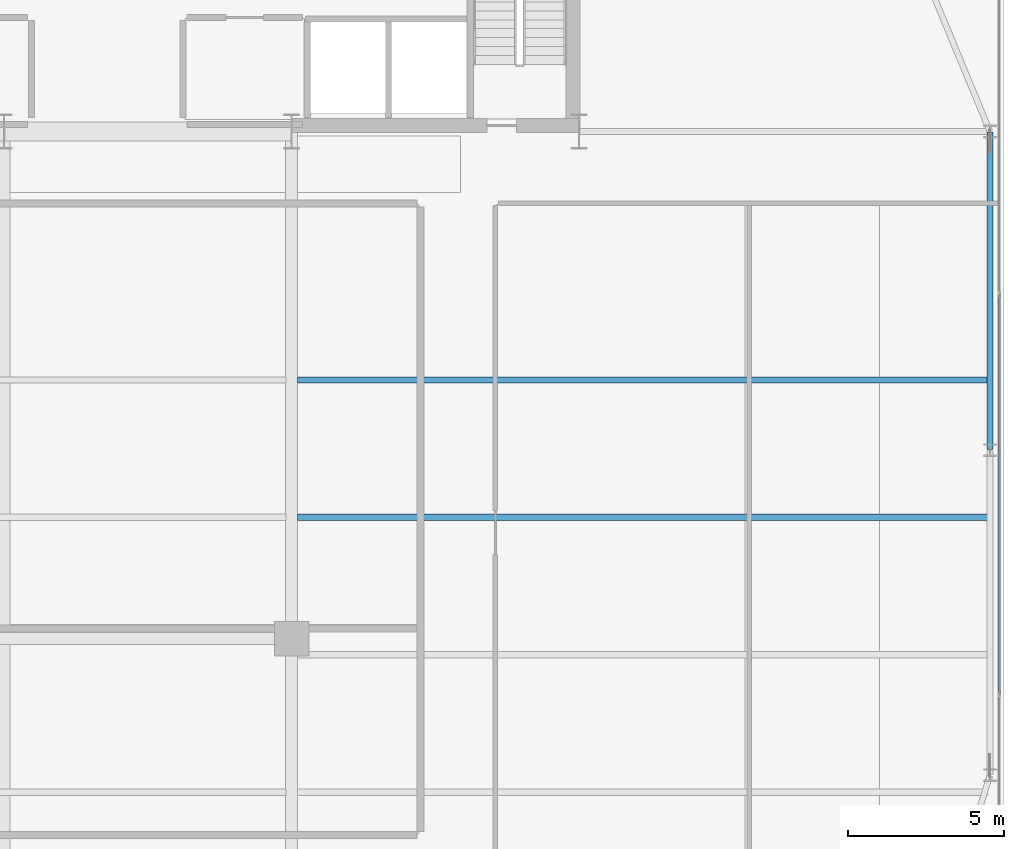
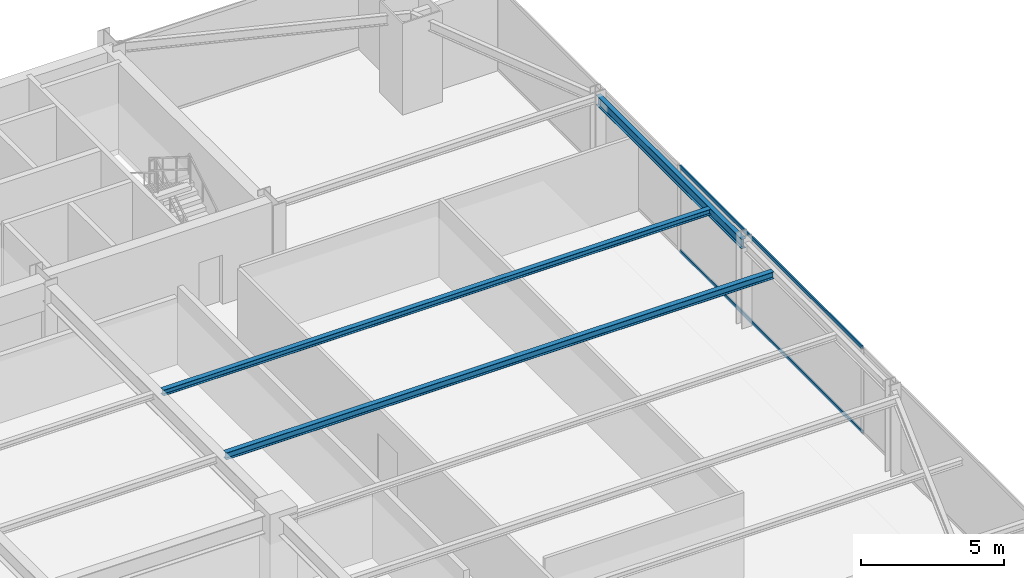
# One storey, part 17 of 31: 3 beams, 2 members, 1 element without a shape of its own.
"""IFC4 building model written with IfcOpenShell, lengths in metres."""

from ifc_helpers import new_model, si_unit, direction, frame, origin, origin_2d, place, context, subcontext, project, spatial, hollow_rectangle, i_section, extrude, source, transform, mapped, material, layer, layer_set, material_profile, profile_set, type_object, type_shapes, element, aggregate, save


model = new_model("IFC4")

# Units and contexts
model_context = context("Model", 3, precision=1e-05, world=origin(), true_north=direction((0.0, 1.0)))
body_context = subcontext(model_context, "Body", "Model", "MODEL_VIEW")
ifc_project = project(units=[si_unit("LENGTHUNIT", "METRE"), si_unit("AREAUNIT", "SQUARE_METRE"), si_unit("VOLUMEUNIT", "CUBIC_METRE"), si_unit("PLANEANGLEUNIT", "RADIAN"), si_unit("MASSUNIT", "GRAM", prefix="KILO")], contexts=[model_context])

# Site, building, storey
site_placement = place(None, origin())
site = spatial("IfcSite", under=ifc_project, at=site_placement, CompositionType="ELEMENT")
building_placement = place(site_placement, origin())
building = spatial("IfcBuilding", under=site, at=building_placement, Name="Varnel Quay Broadcast Tower", CompositionType="ELEMENT")
storey_placement = place(building_placement, frame((0.0, 0.0, 39.300048828125)))
storey = spatial("IfcBuildingStorey", under=building, at=storey_placement, Name="L08", CompositionType="ELEMENT", Elevation=39.300048828125)

# Beams
ifc_material_1 = material(Name="Structural Steel CSA G40.21 350W", Category="steel")
ifc_material_profile_1 = material_profile(ifc_material_1, i_section(OverallWidth=0.180908203125, OverallDepth=0.4169921875, WebThickness=0.010986328125, FlangeThickness=0.018310546875, FilletRadius=0.011962890625, at=origin_2d()), Name="W410X85")
ifc_profile_set_1 = profile_set([ifc_material_profile_1], Name="Structural Steel CSA G40.21 350W")
beam_type_1 = type_object("IfcBeamType", Name="Beam_W410X85", PredefinedType="SPANDREL", material=ifc_profile_set_1)
shared_shape_1 = source(origin(), body_context, "Body", "SweptSolid", [
    extrude(i_section(OverallWidth=0.180908203125, OverallDepth=0.4169921875, WebThickness=0.010986328125, FlangeThickness=0.018310546875, FilletRadius=0.011962890625, at=origin_2d()), origin(), (0.0, 0.0, 1.0), 10.16015625),
])
type_shapes(beam_type_1, [shared_shape_1])
beam_1_placement = place(storey_placement, frame((65.550048828125, 25.419921875, 3.44140625), z_axis=(0.0, 1.0, 0.0), x_axis=(-1.0, 0.0, 0.0)))
element("IfcBeam", 1, at=beam_1_placement, inside=storey, type_object=beam_type_1, Name="L08 East Spandrel TC-E2-TC-E3", PredefinedType="SPANDREL", context=body_context, shape_type="MappedRepresentation", body=[
    mapped(shared_shape_1, transform((0.0, 0.0, 0.0), x_axis=(1.0, 0.0, 0.0), y_axis=(0.0, 1.0, 0.0), z_axis=(0.0, 0.0, 1.0), scale=1.0)),
])
ifc_material_profile_2 = material_profile(ifc_material_1, i_section(OverallWidth=0.202880859375, OverallDepth=0.302978515625, WebThickness=0.007568359375, FlangeThickness=0.01318359375, FilletRadius=0.011962890625, at=origin_2d()), Name="W310X60")
ifc_profile_set_2 = profile_set([ifc_material_profile_2], Name="Structural Steel CSA G40.21 350W")
beam_type_2 = type_object("IfcBeamType", Name="Beam_W310X60", PredefinedType="JOIST", material=ifc_profile_set_2)
shared_shape_2 = source(origin(), body_context, "Body", "SweptSolid", [
    extrude(i_section(OverallWidth=0.202880859375, OverallDepth=0.302978515625, WebThickness=0.007568359375, FlangeThickness=0.01318359375, FilletRadius=0.011962890625, at=origin_2d()), origin(), (0.0, 0.0, 1.0), 22.0791015625),
])
type_shapes(beam_type_2, [shared_shape_2])
beam_2_placement = place(storey_placement, frame((43.385498046875, 23.25, 3.49853515625), z_axis=(1.0, 0.0, 0.0), x_axis=(0.0, 1.0, 0.0)))
element("IfcBeam", 2, at=beam_2_placement, inside=storey, type_object=beam_type_2, Name="L08 East Floor Joist 5", PredefinedType="JOIST", context=body_context, shape_type="MappedRepresentation", body=[
    mapped(shared_shape_2, transform((0.0, 0.0, 0.0), x_axis=(1.0, 0.0, 0.0), y_axis=(0.0, 1.0, 0.0), z_axis=(0.0, 0.0, 1.0), scale=1.0)),
])
ifc_material_profile_3 = material_profile(ifc_material_1, i_section(OverallWidth=0.201904296875, OverallDepth=0.2470703125, WebThickness=0.00732421875, FlangeThickness=0.010986328125, FilletRadius=0.010986328125, at=origin_2d()), Name="W250X49")
ifc_profile_set_3 = profile_set([ifc_material_profile_3], Name="Structural Steel CSA G40.21 350W")
beam_type_3 = type_object("IfcBeamType", Name="Beam_W250X49", PredefinedType="JOIST", material=ifc_profile_set_3)
shared_shape_3 = source(origin(), body_context, "Body", "SweptSolid", [
    extrude(i_section(OverallWidth=0.201904296875, OverallDepth=0.2470703125, WebThickness=0.00732421875, FlangeThickness=0.010986328125, FilletRadius=0.010986328125, at=origin_2d()), origin(), (0.0, 0.0, 1.0), 22.0791015625),
])
type_shapes(beam_type_3, [shared_shape_3])
beam_3_placement = place(storey_placement, frame((43.385498046875, 27.64990234375, 3.5263671875), z_axis=(1.0, 0.0, 0.0), x_axis=(0.0, 1.0, 0.0)))
element("IfcBeam", 3, at=beam_3_placement, inside=storey, type_object=beam_type_3, Name="L08 East Floor Joist 6", PredefinedType="JOIST", context=body_context, shape_type="MappedRepresentation", body=[
    mapped(shared_shape_3, transform((0.0, 0.0, 0.0), x_axis=(1.0, 0.0, 0.0), y_axis=(0.0, 1.0, 0.0), z_axis=(0.0, 0.0, 1.0), scale=1.0)),
])

# Curtain wall, members
ifc_material_2 = material(Name="Anodised Bronze Aluminium 6063-T6", Category="aluminium")
ifc_layer = layer(ifc_material_2, 0.18994140625, Name="Anodised Bronze Aluminium 6063-T6")
ifc_layer_set = layer_set([ifc_layer], Name="Anodised Bronze Aluminium 6063-T6")
curtain_wall_type = type_object("IfcCurtainWallType", Name="CW_LowerTower", PredefinedType="NOTDEFINED", material=ifc_layer_set)
curtain_wall_placement = place(storey_placement, origin())
curtain_wall = element("IfcCurtainWall", 4, at=curtain_wall_placement, inside=storey, type_object=curtain_wall_type, Name="L08 East Unitised Curtain Wall", PredefinedType="NOTDEFINED")
ifc_material_profile_4 = material_profile(ifc_material_2, hollow_rectangle(XDim=0.06005859375, YDim=0.14501953125, WallThickness=0.00341796875, at=origin_2d()), Name="ALU60X145X3.5")
ifc_profile_set_4 = profile_set([ifc_material_profile_4], Name="Anodised Bronze Aluminium 6063-T6")
member_type = type_object("IfcMemberType", Name="Tran_CWS-02", PredefinedType="USERDEFINED", material=ifc_profile_set_4)
shared_shape_4 = source(origin(), body_context, "Body", "SweptSolid", [
    extrude(hollow_rectangle(XDim=0.06005859375, YDim=0.14501953125, WallThickness=0.00341796875, at=origin_2d()), origin(), (0.0, 0.0, 1.0), 12.72998046875),
])
type_shapes(member_type, [shared_shape_4])
member_1_placement = place(storey_placement, frame((65.85009765625, 17.635009765625, 0.030029296875), z_axis=(0.0, 1.0, 0.0), x_axis=(-1.0, 0.0, 0.0)))
member_1 = element("IfcMember", 5, at=member_1_placement, type_object=member_type, Name="CWS-02 transom 2.1", ObjectType="TRANSOM", PredefinedType="USERDEFINED", context=body_context, shape_type="MappedRepresentation", body=[
    mapped(shared_shape_4, transform((0.0, 0.0, 0.0), x_axis=(1.0, 0.0, 0.0), y_axis=(0.0, 1.0, 0.0), z_axis=(0.0, 0.0, 1.0), scale=1.0)),
])
member_2_placement = place(storey_placement, frame((65.85009765625, 17.635009765625, 3.619873046875), z_axis=(0.0, 1.0, 0.0), x_axis=(-1.0, 0.0, 0.0)))
member_2 = element("IfcMember", 6, at=member_2_placement, type_object=member_type, Name="CWS-02 transom 2.2", ObjectType="TRANSOM", PredefinedType="USERDEFINED", context=body_context, shape_type="MappedRepresentation", body=[
    mapped(shared_shape_4, transform((0.0, 0.0, 0.0), x_axis=(1.0, 0.0, 0.0), y_axis=(0.0, 1.0, 0.0), z_axis=(0.0, 0.0, 1.0), scale=1.0)),
])
aggregate(curtain_wall, [member_1, member_2])

save(model, "model.ifc")
